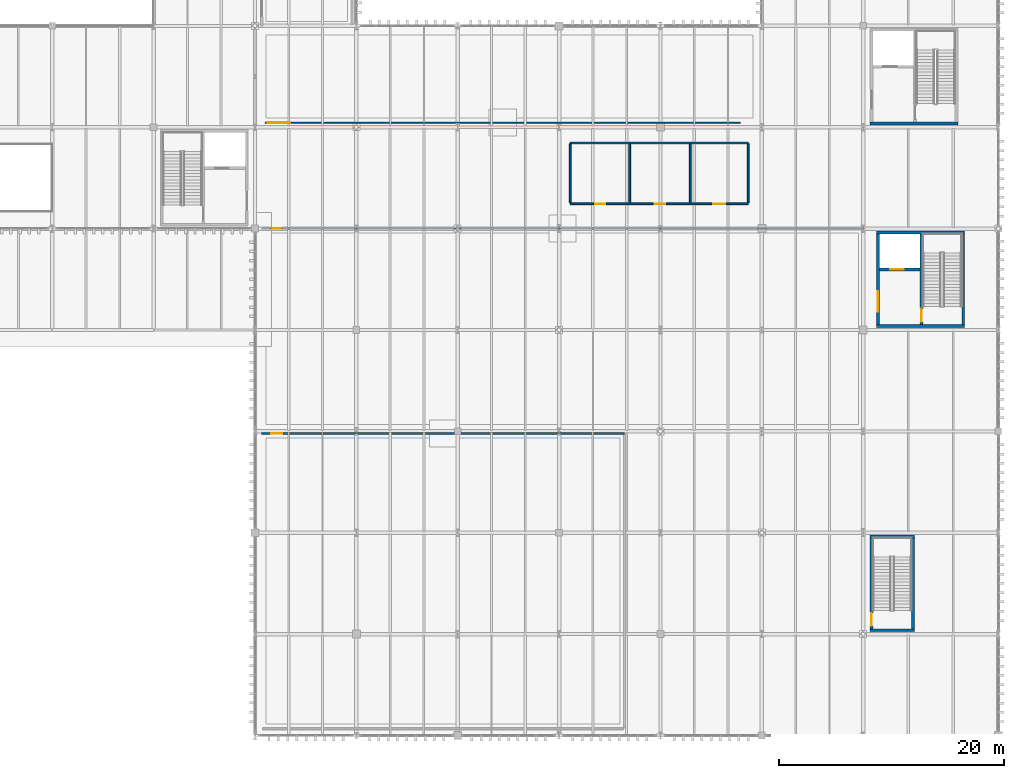
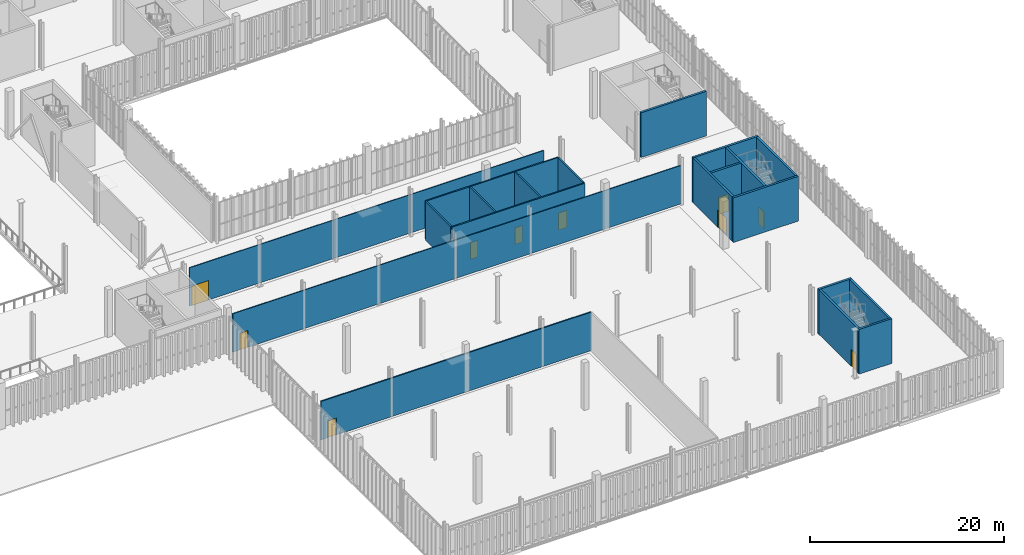
# One storey, part 180 of 211: 20 walls, 10 doors, 10 openings.
"""IFC4 building model written with IfcOpenShell, lengths in metres."""

from ifc_helpers import new_model, si_unit, direction, frame, frame_2d, origin, place, context, subcontext, project, spatial, rectangle, extrude, material, layer, layer_set, type_object, element, fill, save


model = new_model("IFC4")

# Units and contexts
model_context = context("Model", 3, precision=1e-05, world=origin(), true_north=direction((0.0, 1.0)))
body_context = subcontext(model_context, "Body", "Model", "MODEL_VIEW")
ifc_project = project(units=[si_unit("LENGTHUNIT", "METRE"), si_unit("AREAUNIT", "SQUARE_METRE"), si_unit("VOLUMEUNIT", "CUBIC_METRE"), si_unit("PLANEANGLEUNIT", "RADIAN"), si_unit("MASSUNIT", "GRAM", prefix="KILO")], contexts=[model_context])

# Site, building, storey
site_placement = place(None, origin())
site = spatial("IfcSite", under=ifc_project, at=site_placement, CompositionType="ELEMENT")
building_placement = place(site_placement, origin())
building = spatial("IfcBuilding", under=site, at=building_placement, Name="Barlavento Convention Centre", CompositionType="ELEMENT")
storey_placement = place(building_placement, frame((0.0, 0.0, 6.0)))
storey = spatial("IfcBuildingStorey", under=building, at=storey_placement, Name="L01", CompositionType="ELEMENT", Elevation=6.0)

# Wall, opening, door
ifc_material_1 = material(Name="Glazed office partition", Category="glass")
ifc_layer_1 = layer(ifc_material_1, 0.094970703125)
ifc_layer_set_1 = layer_set([ifc_layer_1], Name="ARC-WL-PART-095")
wall_type_1 = type_object("IfcWallType", Name="ARC-WL-PART-095", PredefinedType="PARTITIONING", material=ifc_layer_set_1)
wall_1_placement = place(storey_placement, frame((126.89990234375, 54.39990234375, 0.0), z_axis=(0.0, 0.0, 1.0), x_axis=(1.0, 0.0, 0.0)))
wall_1 = element("IfcWall", 1, at=wall_1_placement, inside=storey, type_object=wall_type_1, Name="L01 interior wall PT-07", PredefinedType="PARTITIONING", context=body_context, shape_type="SweptSolid", body=[
    extrude(rectangle(XDim=42.2001953125, YDim=0.094970703125, at=frame_2d((21.10009765625, 0.0))), origin(), (0.0, 0.0, 1.0), 4.85009765625),
])
opening_1_placement = place(wall_1_placement, frame((0.25, 0.0, 0.0)))
opening_1 = element("IfcOpeningElement", 2, at=opening_1_placement, cuts=wall_1, Name="Opening ID-01", PredefinedType="OPENING", context=body_context, shape_type="SweptSolid", body=[
    extrude(rectangle(XDim=2.0, YDim=2.449951171875, at=frame_2d((1.0, 1.22509765625))), frame((0.0, 0.057373046875, 0.0), z_axis=(0.0, -1.0, 0.0), x_axis=(1.0, 0.0, 0.0)), (0.0, 0.0, 1.0), 0.114990234375),
])
ifc_material_2 = material(Name="Timber veneer acoustic core", Category="wood")
door_type_1 = type_object("IfcDoorType", Name="ARC-DR-HALL-2000X2450", OperationType="DOUBLE_DOOR_SINGLE_SWING", PredefinedType="DOOR", material=ifc_material_2)
door_1_placement = place(opening_1_placement, origin())
door_1 = element("IfcDoor", 3, at=door_1_placement, inside=storey, type_object=door_type_1, Name="DR-INT-L01-0225 L01 interior door ID-01", OperationType="DOUBLE_DOOR_SINGLE_SWING", OverallHeight=2.449951171875, OverallWidth=2.0, PredefinedType="DOOR", context=body_context, shape_type="SweptSolid", body=[
    extrude(rectangle(XDim=2.0, YDim=2.449951171875, at=frame_2d((1.0, 1.22509765625))), frame((0.0, 0.02490234375, 0.0), z_axis=(0.0, -1.0, 0.0), x_axis=(1.0, 0.0, 0.0)), (0.0, 0.0, 1.0), 0.050048828125),
])
fill(opening_1, door_1)

ifc_material_3 = material(Name="Slim office partition")
ifc_layer_2 = layer(ifc_material_3, 0.110107421875)
ifc_layer_set_2 = layer_set([ifc_layer_2], Name="ARC-WL-PART-110")
wall_type_2 = type_object("IfcWallType", Name="ARC-WL-PART-110", PredefinedType="PARTITIONING", material=ifc_layer_set_2)
wall_2_placement = place(storey_placement, frame((126.60009765625, 45.0, 0.0), z_axis=(0.0, 0.0, 1.0), x_axis=(1.0, 0.0, 0.0)))
wall_2 = element("IfcWall", 4, at=wall_2_placement, inside=storey, type_object=wall_type_2, Name="L01 interior wall PT-06", PredefinedType="PARTITIONING", context=body_context, shape_type="SweptSolid", body=[
    extrude(rectangle(XDim=53.39990234375, YDim=0.110107421875, at=frame_2d((26.699951171875, 0.0))), origin(), (0.0, 0.0, 1.0), 4.85009765625),
])
opening_2_placement = place(wall_2_placement, frame((0.85009765625, 0.0, 0.0)))
opening_2 = element("IfcOpeningElement", 5, at=opening_2_placement, cuts=wall_2, Name="Opening ID-09", PredefinedType="OPENING", context=body_context, shape_type="SweptSolid", body=[
    extrude(rectangle(XDim=0.93994140625, YDim=2.10009765625, at=frame_2d((0.469970703125, 1.050048828125))), frame((0.0, 0.06494140625, 0.0), z_axis=(0.0, -1.0, 0.0), x_axis=(1.0, 0.0, 0.0)), (0.0, 0.0, 1.0), 0.130126953125),
])
door_type_2 = type_object("IfcDoorType", Name="ARC-DR-ROOM-940X2100", OperationType="NOTDEFINED", PredefinedType="DOOR", material=ifc_material_2)
door_2_placement = place(opening_2_placement, origin())
door_2 = element("IfcDoor", 6, at=door_2_placement, inside=storey, type_object=door_type_2, Name="DR-INT-L01-0224 L01 interior door ID-09", OperationType="SINGLE_SWING_LEFT", OverallHeight=2.10009765625, OverallWidth=0.93994140625, PredefinedType="DOOR", context=body_context, shape_type="SweptSolid", body=[
    extrude(rectangle(XDim=0.93994140625, YDim=2.10009765625, at=frame_2d((0.469970703125, 1.050048828125))), frame((0.0, 0.02490234375, 0.0), z_axis=(0.0, -1.0, 0.0), x_axis=(1.0, 0.0, 0.0)), (0.0, 0.0, 1.0), 0.050048828125),
])
fill(opening_2, door_2)

ifc_material_4 = material(Name="Metal stud acoustic partition")
ifc_layer_3 = layer(ifc_material_4, 0.155029296875)
ifc_layer_set_3 = layer_set([ifc_layer_3], Name="ARC-WL-PART-155")
wall_type_3 = type_object("IfcWallType", Name="ARC-WL-PART-155", PredefinedType="PARTITIONING", material=ifc_layer_set_3)
wall_3_placement = place(storey_placement, frame((126.60009765625, 26.800048828125, 0.0), z_axis=(0.0, 0.0, 1.0), x_axis=(1.0, 0.0, 0.0)))
wall_3 = element("IfcWall", 7, at=wall_3_placement, inside=storey, type_object=wall_type_3, Name="L01 interior wall PT-03", PredefinedType="PARTITIONING", context=body_context, shape_type="SweptSolid", body=[
    extrude(rectangle(XDim=32.199951171875, YDim=0.155029296875, at=frame_2d((16.10009765625, 0.0))), origin(), (0.0, 0.0, 1.0), 4.85009765625),
])
opening_3_placement = place(wall_3_placement, frame((0.85009765625, 0.0, 0.0)))
opening_3 = element("IfcOpeningElement", 8, at=opening_3_placement, cuts=wall_3, Name="Opening ID-08", PredefinedType="OPENING", context=body_context, shape_type="SweptSolid", body=[
    extrude(rectangle(XDim=0.97998046875, YDim=2.1201171875, at=frame_2d((0.489990234375, 1.06005859375))), frame((0.0, 0.08740234375, 0.0), z_axis=(0.0, -1.0, 0.0), x_axis=(1.0, 0.0, 0.0)), (0.0, 0.0, 1.0), 0.175048828125),
])
door_type_3 = type_object("IfcDoorType", Name="ARC-DR-ROOM-980X2120", OperationType="NOTDEFINED", PredefinedType="DOOR", material=ifc_material_2)
door_3_placement = place(opening_3_placement, origin())
door_3 = element("IfcDoor", 9, at=door_3_placement, inside=storey, type_object=door_type_3, Name="DR-INT-L01-0223 L01 interior door ID-08", OperationType="SINGLE_SWING_RIGHT", OverallHeight=2.1201171875, OverallWidth=0.97998046875, PredefinedType="DOOR", context=body_context, shape_type="SweptSolid", body=[
    extrude(rectangle(XDim=0.97998046875, YDim=2.1201171875, at=frame_2d((0.489990234375, 1.06005859375))), frame((0.0, 0.02490234375, 0.0), z_axis=(0.0, -1.0, 0.0), x_axis=(1.0, 0.0, 0.0)), (0.0, 0.0, 1.0), 0.050048828125),
])
fill(opening_3, door_3)

# Wall, openings, doors
ifc_material_5 = material(Name="Sanitary service chase plumbing wall")
ifc_layer_4 = layer(ifc_material_5, 0.159912109375)
ifc_layer_set_4 = layer_set([ifc_layer_4], Name="ARC-WL-PLMB-160")
wall_type_4 = type_object("IfcWallType", Name="ARC-WL-PLMB-160", PredefinedType="PLUMBINGWALL", material=ifc_layer_set_4)
wall_4_placement = place(storey_placement, frame((154.0, 47.199951171875, 0.0), z_axis=(0.0, 0.0, 1.0), x_axis=(1.0, 0.0, 0.0)))
wall_4 = element("IfcWall", 10, at=wall_4_placement, inside=storey, type_object=wall_type_4, Name="L01 interior wall PW-03", PredefinedType="PLUMBINGWALL", context=body_context, shape_type="SweptSolid", body=[
    extrude(rectangle(XDim=15.800048828125, YDim=0.159912109375, at=frame_2d((7.89990234375, 0.0))), origin(), (0.0, 0.0, 1.0), 4.85009765625),
])
opening_4_placement = place(wall_4_placement, frame((2.18994140625, 0.0, 0.0)))
opening_4 = element("IfcOpeningElement", 11, at=opening_4_placement, cuts=wall_4, Name="Opening ID-10", PredefinedType="OPENING", context=body_context, shape_type="SweptSolid", body=[
    extrude(rectangle(XDim=0.89990234375, YDim=2.10009765625, at=frame_2d((0.449951171875, 1.050048828125))), frame((0.0, 0.08984375, 0.0), z_axis=(0.0, -1.0, 0.0), x_axis=(1.0, 0.0, 0.0)), (0.0, 0.0, 1.0), 0.179931640625),
])
opening_5_placement = place(wall_4_placement, frame((7.510009765625, 0.0, 0.0)))
opening_5 = element("IfcOpeningElement", 12, at=opening_5_placement, cuts=wall_4, Name="Opening ID-10", PredefinedType="OPENING", context=body_context, shape_type="SweptSolid", body=[
    extrude(rectangle(XDim=0.89990234375, YDim=2.10009765625, at=frame_2d((0.449951171875, 1.050048828125))), frame((0.0, 0.08984375, 0.0), z_axis=(0.0, -1.0, 0.0), x_axis=(1.0, 0.0, 0.0)), (0.0, 0.0, 1.0), 0.179931640625),
])
opening_6_placement = place(wall_4_placement, frame((12.699951171875, 0.0, 0.0)))
opening_6 = element("IfcOpeningElement", 13, at=opening_6_placement, cuts=wall_4, Name="Opening ID-11", PredefinedType="OPENING", context=body_context, shape_type="SweptSolid", body=[
    extrude(rectangle(XDim=1.0400390625, YDim=2.14990234375, at=frame_2d((0.52001953125, 1.074951171875))), frame((0.0, 0.08984375, 0.0), z_axis=(0.0, -1.0, 0.0), x_axis=(1.0, 0.0, 0.0)), (0.0, 0.0, 1.0), 0.179931640625),
])
door_type_4 = type_object("IfcDoorType", Name="ARC-DR-AWC-1040X2150", OperationType="NOTDEFINED", PredefinedType="DOOR", material=ifc_material_2)
door_4_placement = place(opening_6_placement, origin())
door_4 = element("IfcDoor", 14, at=door_4_placement, inside=storey, type_object=door_type_4, Name="DR-INT-L01-0192 L01 Accessible Delegate WC entry door", OperationType="SINGLE_SWING_RIGHT", OverallHeight=2.14990234375, OverallWidth=1.0400390625, PredefinedType="DOOR", context=body_context, shape_type="SweptSolid", body=[
    extrude(rectangle(XDim=1.0400390625, YDim=2.14990234375, at=frame_2d((0.52001953125, 1.074951171875))), frame((0.0, 0.02490234375, 0.0), z_axis=(0.0, -1.0, 0.0), x_axis=(1.0, 0.0, 0.0)), (0.0, 0.0, 1.0), 0.050048828125),
])
fill(opening_6, door_4)
door_type_5 = type_object("IfcDoorType", Name="ARC-DR-WC-900X2100", OperationType="NOTDEFINED", PredefinedType="DOOR", material=ifc_material_2)
door_5_placement = place(opening_4_placement, origin())
door_5 = element("IfcDoor", 15, at=door_5_placement, inside=storey, type_object=door_type_5, Name="DR-INT-L01-0190 L01 Male Delegate WC entry door", OperationType="SINGLE_SWING_RIGHT", OverallHeight=2.10009765625, OverallWidth=0.89990234375, PredefinedType="DOOR", context=body_context, shape_type="SweptSolid", body=[
    extrude(rectangle(XDim=0.89990234375, YDim=2.10009765625, at=frame_2d((0.449951171875, 1.050048828125))), frame((0.0, 0.02490234375, 0.0), z_axis=(0.0, -1.0, 0.0), x_axis=(1.0, 0.0, 0.0)), (0.0, 0.0, 1.0), 0.050048828125),
])
fill(opening_4, door_5)
door_6_placement = place(opening_5_placement, origin())
door_6 = element("IfcDoor", 16, at=door_6_placement, inside=storey, type_object=door_type_5, Name="DR-INT-L01-0191 L01 Female Delegate WC entry door", OperationType="SINGLE_SWING_LEFT", OverallHeight=2.10009765625, OverallWidth=0.89990234375, PredefinedType="DOOR", context=body_context, shape_type="SweptSolid", body=[
    extrude(rectangle(XDim=0.89990234375, YDim=2.10009765625, at=frame_2d((0.449951171875, 1.050048828125))), frame((0.0, 0.02490234375, 0.0), z_axis=(0.0, -1.0, 0.0), x_axis=(1.0, 0.0, 0.0)), (0.0, 0.0, 1.0), 0.050048828125),
])
fill(opening_5, door_6)

# Walls
wall_5_placement = place(storey_placement, frame((154.0, 52.60009765625, 0.0), z_axis=(0.0, 0.0, 1.0), x_axis=(1.0, 0.0, 0.0)))
element("IfcWall", 17, at=wall_5_placement, inside=storey, type_object=wall_type_4, Name="L01 interior wall PW-03", PredefinedType="PLUMBINGWALL", context=body_context, shape_type="SweptSolid", body=[
    extrude(rectangle(XDim=15.800048828125, YDim=0.159912109375, at=frame_2d((7.89990234375, 0.0))), origin(), (0.0, 0.0, 1.0), 4.85009765625),
])
for number, where, z_axis, x_axis, name in (
    (18, (154.0, 47.2880859375, 0.0), (0.0, 0.0, 1.0), (0.0, 1.0, 0.0), "L01 interior wall PW-03"),
    (19, (159.280029296875, 47.2880859375, 0.0), (0.0, 0.0, 1.0), (0.0, 1.0, 0.0), "L01 interior wall PW-03"),
    (20, (164.639892578125, 47.2880859375, 0.0), (0.0, 0.0, 1.0), (0.0, 1.0, 0.0), "L01 interior wall PW-03"),
    (21, (169.800048828125, 47.2880859375, 0.0), (0.0, 0.0, 1.0), (0.0, 1.0, 0.0), "L01 interior wall PW-03"),
):
    element("IfcWall", number, at=place(storey_placement, frame(where, z_axis=z_axis, x_axis=x_axis)), inside=storey, type_object=wall_type_4, Name=name, PredefinedType="PLUMBINGWALL", context=body_context, shape_type="SweptSolid", body=[
        extrude(rectangle(XDim=5.223876953125, YDim=0.159912109375, at=frame_2d((2.61181640625, 0.0))), origin(), (0.0, 0.0, 1.0), 4.85009765625),
    ])
ifc_material_6 = material(Name="Concrete C50/60", Category="concrete")
ifc_layer_5 = layer(ifc_material_6, 0.25)
ifc_layer_set_5 = layer_set([ifc_layer_5], Name="STR-WL-CORE-250")
wall_type_5 = type_object("IfcWallType", Name="STR-WL-CORE-250", PredefinedType="SHEAR", material=ifc_layer_set_5)
wall_6_placement = place(storey_placement, frame((180.60009765625, 54.344970703125, 0.0), z_axis=(0.0, 0.0, 1.0), x_axis=(1.0, 0.0, 0.0)))
element("IfcWall", 22, at=wall_6_placement, inside=storey, type_object=wall_type_5, Name="L01 interior wall CW-02", PredefinedType="SHEAR", context=body_context, shape_type="SweptSolid", body=[
    extrude(rectangle(XDim=7.7998046875, YDim=0.25, at=frame_2d((3.89990234375, 0.0))), origin(), (0.0, 0.0, 1.0), 5.639892578125),
])

# Wall, opening, door
wall_7_placement = place(storey_placement, frame((181.324951171875, 36.469970703125, 0.0), z_axis=(0.0, 0.0, 1.0), x_axis=(0.0, 1.0, 0.0)))
wall_7 = element("IfcWall", 23, at=wall_7_placement, inside=storey, type_object=wall_type_5, Name="L01 interior wall CW-02", PredefinedType="SHEAR", context=body_context, shape_type="SweptSolid", body=[
    extrude(rectangle(XDim=8.06005859375, YDim=0.25, at=frame_2d((4.030029296875, 0.0))), origin(), (0.0, 0.0, 1.0), 5.6298828125),
])
opening_7_placement = place(wall_7_placement, frame((1.14990234375, 0.0, 0.0)))
opening_7 = element("IfcOpeningElement", 24, at=opening_7_placement, cuts=wall_7, Name="Opening FD-01", PredefinedType="OPENING", context=body_context, shape_type="SweptSolid", body=[
    extrude(rectangle(XDim=1.800048828125, YDim=2.199951171875, at=frame_2d((0.89990234375, 1.10009765625))), frame((0.0, 0.135009765625, 0.0), z_axis=(0.0, -1.0, 0.0), x_axis=(1.0, 0.0, 0.0)), (0.0, 0.0, 1.0), 0.27001953125),
])
ifc_material_7 = material(Name="Painted galvanized steel", Category="steel")
door_type_6 = type_object("IfcDoorType", Name="ARC-DR-FIRE-1800X2200", OperationType="DOUBLE_DOOR_SINGLE_SWING", PredefinedType="DOOR", material=ifc_material_7)
door_7_placement = place(opening_7_placement, origin())
door_7 = element("IfcDoor", 25, at=door_7_placement, inside=storey, type_object=door_type_6, Name="DR-INT-L01-0084 L01 FL2 lobby fire door", OperationType="DOUBLE_DOOR_SINGLE_SWING", OverallHeight=2.199951171875, OverallWidth=1.800048828125, PredefinedType="DOOR", context=body_context, shape_type="SweptSolid", body=[
    extrude(rectangle(XDim=1.800048828125, YDim=2.199951171875, at=frame_2d((0.89990234375, 1.10009765625))), frame((0.0, 0.02490234375, 0.0), z_axis=(0.0, -1.0, 0.0), x_axis=(1.0, 0.0, 0.0)), (0.0, 0.0, 1.0), 0.050048828125),
])
fill(opening_7, door_7)

# Walls
wall_8_placement = place(storey_placement, frame((188.875, 36.469970703125, 0.0), z_axis=(0.0, 0.0, 1.0), x_axis=(0.0, 1.0, 0.0)))
element("IfcWall", 26, at=wall_8_placement, inside=storey, type_object=wall_type_5, Name="L01 interior wall CW-02", PredefinedType="SHEAR", context=body_context, shape_type="SweptSolid", body=[
    extrude(rectangle(XDim=8.06005859375, YDim=0.25, at=frame_2d((4.030029296875, 0.0))), origin(), (0.0, 0.0, 1.0), 5.6298828125),
])
for number, where, z_axis, x_axis, name in (
    (27, (181.199951171875, 36.344970703125, 0.0), (0.0, 0.0, 1.0), (1.0, 0.0, 0.0), "L01 interior wall CW-02"),
    (28, (181.199951171875, 44.655029296875, 0.0), (0.0, 0.0, 1.0), (1.0, 0.0, 0.0), "L01 interior wall CW-02"),
):
    element("IfcWall", number, at=place(storey_placement, frame(where, z_axis=z_axis, x_axis=x_axis)), inside=storey, type_object=wall_type_5, Name=name, PredefinedType="SHEAR", context=body_context, shape_type="SweptSolid", body=[
        extrude(rectangle(XDim=7.800048828125, YDim=0.25, at=frame_2d((3.89990234375, 0.0))), origin(), (0.0, 0.0, 1.0), 5.6298828125),
    ])

# Wall, opening, door
wall_9_placement = place(storey_placement, frame((185.18505859375, 36.469970703125, 0.0), z_axis=(0.0, 0.0, 1.0), x_axis=(0.0, 1.0, 0.0)))
wall_9 = element("IfcWall", 29, at=wall_9_placement, inside=storey, type_object=wall_type_5, Name="L01 interior wall CW-02", PredefinedType="SHEAR", context=body_context, shape_type="SweptSolid", body=[
    extrude(rectangle(XDim=8.06005859375, YDim=0.25, at=frame_2d((4.030029296875, 0.0))), origin(), (0.0, 0.0, 1.0), 5.6298828125),
])
opening_8_placement = place(wall_9_placement, frame((0.25, 0.0, 0.0)))
opening_8 = element("IfcOpeningElement", 30, at=opening_8_placement, cuts=wall_9, Name="Opening FD-03", PredefinedType="OPENING", context=body_context, shape_type="SweptSolid", body=[
    extrude(rectangle(XDim=1.14990234375, YDim=2.14990234375, at=frame_2d((0.574951171875, 1.074951171875))), frame((0.0, 0.135009765625, 0.0), z_axis=(0.0, -1.0, 0.0), x_axis=(1.0, 0.0, 0.0)), (0.0, 0.0, 1.0), 0.27001953125),
])
door_type_7 = type_object("IfcDoorType", Name="ARC-DR-FIRE-1150X2150", OperationType="NOTDEFINED", PredefinedType="DOOR", material=ifc_material_7)
door_8_placement = place(opening_8_placement, origin())
door_8 = element("IfcDoor", 31, at=door_8_placement, inside=storey, type_object=door_type_7, Name="DR-INT-L01-0082 L01 ST06 stair fire door FD-03", OperationType="SINGLE_SWING_RIGHT", OverallHeight=2.14990234375, OverallWidth=1.14990234375, PredefinedType="DOOR", context=body_context, shape_type="SweptSolid", body=[
    extrude(rectangle(XDim=1.14990234375, YDim=2.14990234375, at=frame_2d((0.574951171875, 1.074951171875))), frame((0.0, 0.02490234375, 0.0), z_axis=(0.0, -1.0, 0.0), x_axis=(1.0, 0.0, 0.0)), (0.0, 0.0, 1.0), 0.050048828125),
])
fill(opening_8, door_8)

wall_10_placement = place(storey_placement, frame((181.449951171875, 41.3701171875, 0.0), z_axis=(0.0, 0.0, 1.0), x_axis=(1.0, 0.0, 0.0)))
wall_10 = element("IfcWall", 32, at=wall_10_placement, inside=storey, type_object=wall_type_5, Name="L01 interior wall CW-02", PredefinedType="SHEAR", context=body_context, shape_type="SweptSolid", body=[
    extrude(rectangle(XDim=3.610107421875, YDim=0.25, at=frame_2d((1.80517578125, 0.0))), origin(), (0.0, 0.0, 1.0), 5.6298828125),
])
opening_9_placement = place(wall_10_placement, frame((0.949951171875, 0.0, 0.0)))
opening_9 = element("IfcOpeningElement", 33, at=opening_9_placement, cuts=wall_10, Name="Opening LD-01", PredefinedType="OPENING", context=body_context, shape_type="SweptSolid", body=[
    extrude(rectangle(XDim=1.199951171875, YDim=2.199951171875, at=frame_2d((0.60009765625, 1.10009765625))), frame((0.0, 0.135009765625, 0.0), z_axis=(0.0, -1.0, 0.0), x_axis=(1.0, 0.0, 0.0)), (0.0, 0.0, 1.0), 0.27001953125),
])
ifc_material_8 = material(Name="Brushed stainless steel", Category="steel")
door_type_8 = type_object("IfcDoorType", Name="ARC-DR-LIFT-1200X2200", OperationType="DOUBLE_DOOR_SLIDING", PredefinedType="DOOR", material=ifc_material_8)
door_9_placement = place(opening_9_placement, origin())
door_9 = element("IfcDoor", 34, at=door_9_placement, inside=storey, type_object=door_type_8, Name="DR-INT-L01-0083 FL2 lift sliding landing door", OperationType="DOUBLE_DOOR_SLIDING", OverallHeight=2.199951171875, OverallWidth=1.199951171875, PredefinedType="DOOR", context=body_context, shape_type="SweptSolid", body=[
    extrude(rectangle(XDim=1.199951171875, YDim=2.199951171875, at=frame_2d((0.60009765625, 1.10009765625))), frame((0.0, 0.02490234375, 0.0), z_axis=(0.0, -1.0, 0.0), x_axis=(1.0, 0.0, 0.0)), (0.0, 0.0, 1.0), 0.050048828125),
])
fill(opening_9, door_9)

wall_11_placement = place(storey_placement, frame((180.72509765625, 9.469970703125, 0.0), z_axis=(0.0, 0.0, 1.0), x_axis=(0.0, 1.0, 0.0)))
wall_11 = element("IfcWall", 35, at=wall_11_placement, inside=storey, type_object=wall_type_5, Name="L01 interior wall CW-02", PredefinedType="SHEAR", context=body_context, shape_type="SweptSolid", body=[
    extrude(rectangle(XDim=8.06005859375, YDim=0.25, at=frame_2d((4.030029296875, 0.0))), origin(), (0.0, 0.0, 1.0), 5.6298828125),
])
opening_10_placement = place(wall_11_placement, frame((0.25, 0.0, 0.0)))
opening_10 = element("IfcOpeningElement", 36, at=opening_10_placement, cuts=wall_11, Name="Opening FD-03", PredefinedType="OPENING", context=body_context, shape_type="SweptSolid", body=[
    extrude(rectangle(XDim=1.14990234375, YDim=2.14990234375, at=frame_2d((0.574951171875, 1.074951171875))), frame((0.0, 0.135009765625, 0.0), z_axis=(0.0, -1.0, 0.0), x_axis=(1.0, 0.0, 0.0)), (0.0, 0.0, 1.0), 0.27001953125),
])
door_10_placement = place(opening_10_placement, origin())
door_10 = element("IfcDoor", 37, at=door_10_placement, inside=storey, type_object=door_type_7, Name="DR-INT-L01-0181 L01 ST14 stair fire door FD-03", OperationType="SINGLE_SWING_LEFT", OverallHeight=2.14990234375, OverallWidth=1.14990234375, PredefinedType="DOOR", context=body_context, shape_type="SweptSolid", body=[
    extrude(rectangle(XDim=1.14990234375, YDim=2.14990234375, at=frame_2d((0.574951171875, 1.074951171875))), frame((0.0, 0.02490234375, 0.0), z_axis=(0.0, -1.0, 0.0), x_axis=(1.0, 0.0, 0.0)), (0.0, 0.0, 1.0), 0.050048828125),
])
fill(opening_10, door_10)

# Walls
wall_12_placement = place(storey_placement, frame((184.4150390625, 9.469970703125, 0.0), z_axis=(0.0, 0.0, 1.0), x_axis=(0.0, 1.0, 0.0)))
element("IfcWall", 38, at=wall_12_placement, inside=storey, type_object=wall_type_5, Name="L01 interior wall CW-02", PredefinedType="SHEAR", context=body_context, shape_type="SweptSolid", body=[
    extrude(rectangle(XDim=8.06005859375, YDim=0.25, at=frame_2d((4.030029296875, 0.0))), origin(), (0.0, 0.0, 1.0), 5.6298828125),
])
for number, where, z_axis, x_axis, name in (
    (39, (180.60009765625, 9.344970703125, 0.0), (0.0, 0.0, 1.0), (1.0, 0.0, 0.0), "L01 interior wall CW-02"),
    (40, (180.60009765625, 17.655029296875, 0.0), (0.0, 0.0, 1.0), (1.0, 0.0, 0.0), "L01 interior wall CW-02"),
):
    element("IfcWall", number, at=place(storey_placement, frame(where, z_axis=z_axis, x_axis=x_axis)), inside=storey, type_object=wall_type_5, Name=name, PredefinedType="SHEAR", context=body_context, shape_type="SweptSolid", body=[
        extrude(rectangle(XDim=3.93994140625, YDim=0.25, at=frame_2d((1.969970703125, 0.0))), origin(), (0.0, 0.0, 1.0), 5.6298828125),
    ])

save(model, "model.ifc")
